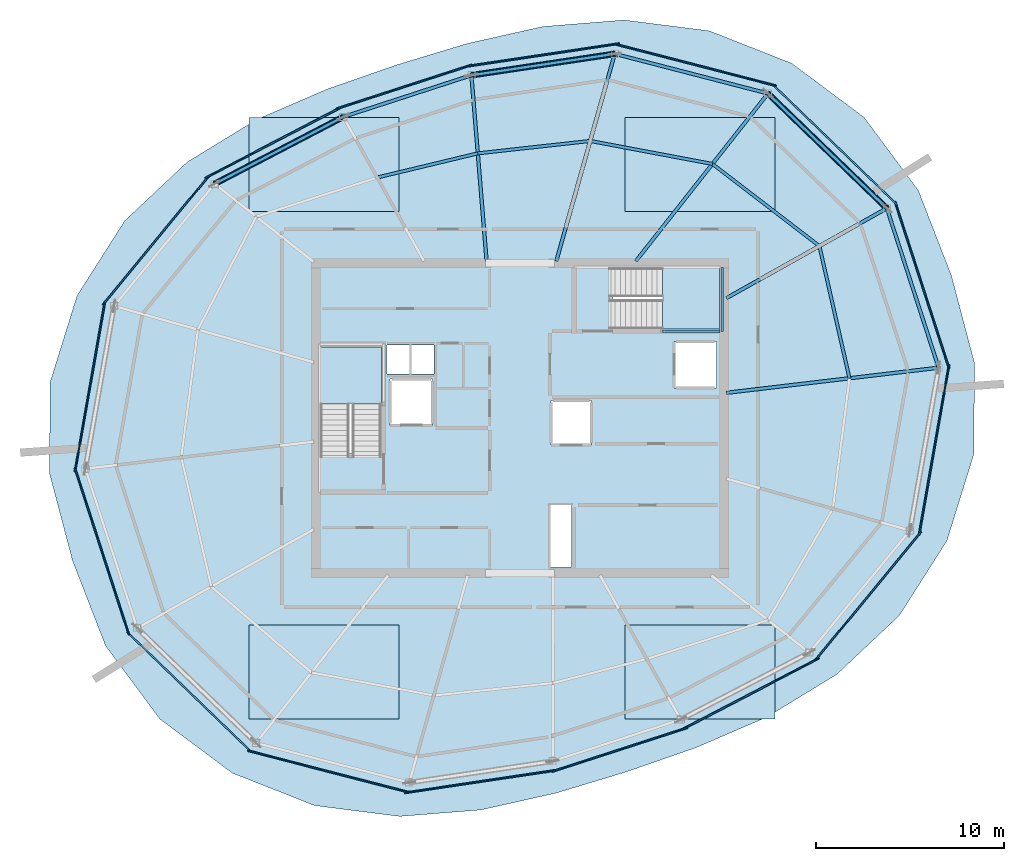
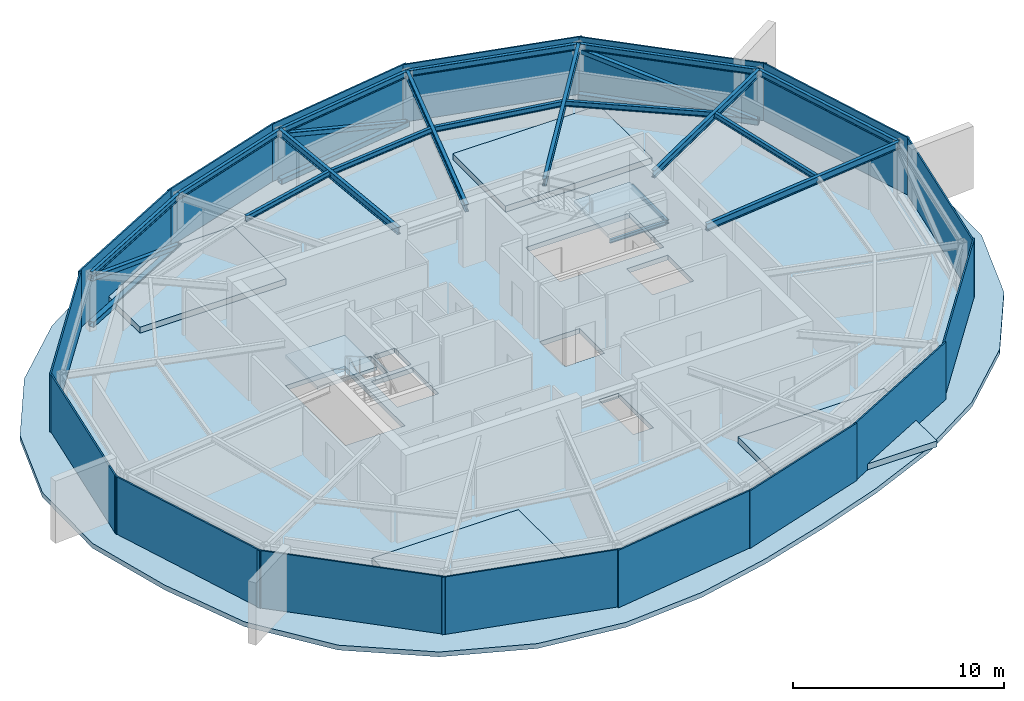
# One storey, part 5 of 10: 18 beams, 16 plates, 7 slabs, 6 members, 2 elements without a shape of their own.
"""IFC4 building model written with IfcOpenShell, lengths in metres."""

from ifc_helpers import new_model, si_unit, direction, frame, origin, origin_2d, place, context, subcontext, project, spatial, polyline, rectangle, hollow_rectangle, i_section, outline, extrude, material, layer, layer_set, material_profile, profile_set, type_object, element, aggregate, save


model = new_model("IFC4")

# Units and contexts
model_context = context("Model", 3, precision=1e-05, world=origin(), true_north=direction((0.0, 1.0)))
body_context = subcontext(model_context, "Body", "Model", "MODEL_VIEW")
ifc_project = project(units=[si_unit("LENGTHUNIT", "METRE"), si_unit("AREAUNIT", "SQUARE_METRE"), si_unit("VOLUMEUNIT", "CUBIC_METRE"), si_unit("PLANEANGLEUNIT", "RADIAN"), si_unit("MASSUNIT", "GRAM", prefix="KILO")], contexts=[model_context])

# Site, building, storey
site_placement = place(None, origin())
site = spatial("IfcSite", under=ifc_project, at=site_placement, CompositionType="ELEMENT")
building_placement = place(site_placement, origin())
building = spatial("IfcBuilding", under=site, at=building_placement, Name="Kazma Halo Residences", CompositionType="ELEMENT")
storey_placement = place(building_placement, frame((0.0, 0.0, 370.39990234375)))
storey = spatial("IfcBuildingStorey", under=building, at=storey_placement, Name="L93", CompositionType="ELEMENT", Elevation=370.39990234375)

# Beams
ifc_material_1 = material(Name="Steel S355", Category="steel")
ifc_material_profile_1 = material_profile(ifc_material_1, i_section(OverallWidth=0.177978515625, OverallDepth=0.406982421875, WebThickness=0.0078125, FlangeThickness=0.0126953125, FilletRadius=0.013916015625, at=origin_2d()), Name="W410x60")
ifc_profile_set_1 = profile_set([ifc_material_profile_1], Name="Steel S355")
beam_type_1 = type_object("IfcBeamType", Name="BM-RAD-W410", PredefinedType="BEAM", material=ifc_profile_set_1)
beam_1_placement = place(storey_placement, frame((59.39990234375, 48.38427734375, 3.11669921875), z_axis=(0.872500487018, 0.488613241894, 0.0), x_axis=(-0.488613241894, 0.872500487018, 0.0)))
element("IfcBeam", 1, at=beam_1_placement, inside=storey, type_object=beam_type_1, Name="L93 radial floor beam 01", PredefinedType="BEAM", context=body_context, shape_type="SweptSolid", body=[
    extrude(i_section(OverallWidth=0.177978515625, OverallDepth=0.406982421875, WebThickness=0.0078125, FlangeThickness=0.0126953125, FilletRadius=0.013916015625, at=origin_2d()), origin(), (0.0, 0.0, 1.0), 9.788818359375),
])
beam_2_placement = place(storey_placement, frame((54.58251953125, 50.35009765625, 3.11669921875), z_axis=(0.619100773028, 0.785311551447, 0.0), x_axis=(-0.785311551447, 0.619100773028, 0.0)))
element("IfcBeam", 2, at=beam_2_placement, inside=storey, type_object=beam_type_1, Name="L93 radial floor beam 02", PredefinedType="BEAM", context=body_context, shape_type="SweptSolid", body=[
    extrude(i_section(OverallWidth=0.177978515625, OverallDepth=0.406982421875, WebThickness=0.0078125, FlangeThickness=0.0126953125, FilletRadius=0.013916015625, at=origin_2d()), origin(), (0.0, 0.0, 1.0), 11.363037109375),
])
beam_3_placement = place(storey_placement, frame((50.35498046875, 50.35009765625, 3.11669921875), z_axis=(0.271433859027, 0.962457095238, 0.0), x_axis=(-0.962457095238, 0.271433859027, 0.0)))
element("IfcBeam", 3, at=beam_3_placement, inside=storey, type_object=beam_type_1, Name="L93 radial floor beam 03", PredefinedType="BEAM", context=body_context, shape_type="SweptSolid", body=[
    extrude(i_section(OverallWidth=0.177978515625, OverallDepth=0.406982421875, WebThickness=0.0078125, FlangeThickness=0.0126953125, FilletRadius=0.013916015625, at=origin_2d()), origin(), (0.0, 0.0, 1.0), 11.462646484375),
])
beam_4_placement = place(storey_placement, frame((46.64990234375, 50.35009765625, 3.11669921875), z_axis=(-0.081506605081, 0.996672801539, 0.0), x_axis=(-0.996672801539, -0.081506605081, 0.0)))
element("IfcBeam", 4, at=beam_4_placement, inside=storey, type_object=beam_type_1, Name="L93 radial floor beam 04", PredefinedType="BEAM", context=body_context, shape_type="SweptSolid", body=[
    extrude(i_section(OverallWidth=0.177978515625, OverallDepth=0.406982421875, WebThickness=0.0078125, FlangeThickness=0.0126953125, FilletRadius=0.013916015625, at=origin_2d()), origin(), (0.0, 0.0, 1.0), 9.926513671875),
])
beam_5_placement = place(storey_placement, frame((59.39990234375, 43.349365234375, 3.11669921875), z_axis=(0.993069497533, 0.117528605327, 0.0), x_axis=(-0.117528605327, 0.993069497533, 0.0)))
element("IfcBeam", 5, at=beam_5_placement, inside=storey, type_object=beam_type_1, Name="L93 radial floor beam 16", PredefinedType="BEAM", context=body_context, shape_type="SweptSolid", body=[
    extrude(i_section(OverallWidth=0.177978515625, OverallDepth=0.406982421875, WebThickness=0.0078125, FlangeThickness=0.0126953125, FilletRadius=0.013916015625, at=origin_2d()), origin(), (0.0, 0.0, 1.0), 11.375244140625),
])
ifc_material_profile_2 = material_profile(ifc_material_1, i_section(OverallWidth=0.1650390625, OverallDepth=0.31005859375, WebThickness=0.005859375, FlangeThickness=0.009765625, FilletRadius=0.011962890625, at=origin_2d()), Name="W310x38.7")
ifc_profile_set_2 = profile_set([ifc_material_profile_2], Name="Steel S355")
beam_type_2 = type_object("IfcBeamType", Name="BM-SEC-W310B", PredefinedType="JOIST", material=ifc_profile_set_2)
beam_6_placement = place(storey_placement, frame((64.353515625, 51.158447265625, 3.1650390625), z_axis=(-0.793314295729, 0.608812309494, 0.0), x_axis=(-0.608812309494, -0.793314295729, 0.0)))
element("IfcBeam", 6, at=beam_6_placement, inside=storey, type_object=beam_type_2, Name="L93 circumferential floor joist 01", PredefinedType="JOIST", context=body_context, shape_type="SweptSolid", body=[
    extrude(i_section(OverallWidth=0.1650390625, OverallDepth=0.31005859375, WebThickness=0.005859375, FlangeThickness=0.009765625, FilletRadius=0.011962890625, at=origin_2d()), origin(), (0.0, 0.0, 1.0), 7.17333984375),
])
beam_7_placement = place(storey_placement, frame((58.662841796875, 55.525634765625, 3.1650390625), z_axis=(-0.982768028721, 0.184843181435, 0.0), x_axis=(-0.184843181435, -0.982768028721, 0.0)))
element("IfcBeam", 7, at=beam_7_placement, inside=storey, type_object=beam_type_2, Name="L93 circumferential floor joist 02", PredefinedType="JOIST", context=body_context, shape_type="SweptSolid", body=[
    extrude(i_section(OverallWidth=0.1650390625, OverallDepth=0.31005859375, WebThickness=0.005859375, FlangeThickness=0.009765625, FilletRadius=0.011962890625, at=origin_2d()), origin(), (0.0, 0.0, 1.0), 6.6171875),
])
beam_8_placement = place(storey_placement, frame((52.15966796875, 56.748779296875, 3.1650390625), z_axis=(-0.993955293014, -0.109785588714, 0.0), x_axis=(0.109785588714, -0.993955293014, 0.0)))
element("IfcBeam", 8, at=beam_8_placement, inside=storey, type_object=beam_type_2, Name="L93 circumferential floor joist 03", PredefinedType="JOIST", context=body_context, shape_type="SweptSolid", body=[
    extrude(i_section(OverallWidth=0.1650390625, OverallDepth=0.31005859375, WebThickness=0.005859375, FlangeThickness=0.009765625, FilletRadius=0.011962890625, at=origin_2d()), origin(), (0.0, 0.0, 1.0), 6.015380859375),
])
beam_9_placement = place(storey_placement, frame((46.1806640625, 56.08837890625, 3.1650390625), z_axis=(-0.972370386067, -0.233443424194, 0.0), x_axis=(0.233443424194, -0.972370386067, 0.0)))
element("IfcBeam", 9, at=beam_9_placement, inside=storey, type_object=beam_type_2, Name="L93 circumferential floor joist 04", PredefinedType="JOIST", context=body_context, shape_type="SweptSolid", body=[
    extrude(i_section(OverallWidth=0.1650390625, OverallDepth=0.31005859375, WebThickness=0.005859375, FlangeThickness=0.009765625, FilletRadius=0.011962890625, at=origin_2d()), origin(), (0.0, 0.0, 1.0), 5.503173828125),
])
beam_10_placement = place(storey_placement, frame((65.951904296875, 44.124755859375, 3.1650390625), z_axis=(-0.221597696416, 0.975138175308, 0.0), x_axis=(-0.975138175308, -0.221597696416, 0.0)))
element("IfcBeam", 10, at=beam_10_placement, inside=storey, type_object=beam_type_2, Name="L93 circumferential floor joist 16", PredefinedType="JOIST", context=body_context, shape_type="SweptSolid", body=[
    extrude(i_section(OverallWidth=0.1650390625, OverallDepth=0.31005859375, WebThickness=0.005859375, FlangeThickness=0.009765625, FilletRadius=0.011962890625, at=origin_2d()), origin(), (0.0, 0.0, 1.0), 7.213134765625),
])
ifc_material_profile_3 = material_profile(ifc_material_1, i_section(OverallWidth=0.1708984375, OverallDepth=0.35498046875, WebThickness=0.007080078125, FlangeThickness=0.01171875, FilletRadius=0.013916015625, at=origin_2d()), Name="W360x51")
ifc_profile_set_3 = profile_set([ifc_material_profile_3], Name="Steel S355")
beam_type_3 = type_object("IfcBeamType", Name="BM-SPN-W360", PredefinedType="BEAM", material=ifc_profile_set_3)
beam_11_placement = place(storey_placement, frame((67.940673828125, 53.167236328125, 3.142578125), z_axis=(-0.719330630477, 0.694667866003, 0.0), x_axis=(-0.694667866003, -0.719330630477, 0.0)))
element("IfcBeam", 11, at=beam_11_placement, inside=storey, type_object=beam_type_3, Name="L93 CROWN FRAME ring beam 01", PredefinedType="BEAM", context=body_context, shape_type="SweptSolid", body=[
    extrude(i_section(OverallWidth=0.1708984375, OverallDepth=0.35498046875, WebThickness=0.007080078125, FlangeThickness=0.01171875, FilletRadius=0.013916015625, at=origin_2d()), origin(), (0.0, 0.0, 1.0), 8.79052734375),
])
beam_12_placement = place(storey_placement, frame((61.617431640625, 59.273681640625, 3.142578125), z_axis=(-0.968129821283, 0.250448895271, 0.0), x_axis=(-0.250448895271, -0.968129821283, 0.0)))
element("IfcBeam", 12, at=beam_12_placement, inside=storey, type_object=beam_type_3, Name="L93 CROWN FRAME ring beam 02", PredefinedType="BEAM", context=body_context, shape_type="SweptSolid", body=[
    extrude(i_section(OverallWidth=0.1708984375, OverallDepth=0.35498046875, WebThickness=0.007080078125, FlangeThickness=0.01171875, FilletRadius=0.013916015625, at=origin_2d()), origin(), (0.0, 0.0, 1.0), 8.41943359375),
])
beam_13_placement = place(storey_placement, frame((53.46630859375, 61.38232421875, 3.142578125), z_axis=(-0.989034152337, -0.147686984904, 0.0), x_axis=(0.147686984904, -0.989034152337, 0.0)))
element("IfcBeam", 13, at=beam_13_placement, inside=storey, type_object=beam_type_3, Name="L93 CROWN FRAME ring beam 03", PredefinedType="BEAM", context=body_context, shape_type="SweptSolid", body=[
    extrude(i_section(OverallWidth=0.1708984375, OverallDepth=0.35498046875, WebThickness=0.007080078125, FlangeThickness=0.01171875, FilletRadius=0.013916015625, at=origin_2d()), origin(), (0.0, 0.0, 1.0), 7.7099609375),
])
beam_14_placement = place(storey_placement, frame((45.8408203125, 60.24365234375, 3.142578125), z_axis=(-0.951067102, -0.308984413026, 0.0), x_axis=(0.308984413026, -0.951067102, 0.0)))
element("IfcBeam", 14, at=beam_14_placement, inside=storey, type_object=beam_type_3, Name="L93 CROWN FRAME ring beam 04", PredefinedType="BEAM", context=body_context, shape_type="SweptSolid", body=[
    extrude(i_section(OverallWidth=0.1708984375, OverallDepth=0.35498046875, WebThickness=0.007080078125, FlangeThickness=0.01171875, FilletRadius=0.013916015625, at=origin_2d()), origin(), (0.0, 0.0, 1.0), 7.168212890625),
])
beam_15_placement = place(storey_placement, frame((39.0234375, 58.02880859375, 3.142578125), z_axis=(-0.886940838721, -0.461883046461, 0.0), x_axis=(0.461883046461, -0.886940838721, 0.0)))
element("IfcBeam", 15, at=beam_15_placement, inside=storey, type_object=beam_type_3, Name="L93 CROWN FRAME ring beam 05", PredefinedType="BEAM", context=body_context, shape_type="SweptSolid", body=[
    extrude(i_section(OverallWidth=0.1708984375, OverallDepth=0.35498046875, WebThickness=0.007080078125, FlangeThickness=0.01171875, FilletRadius=0.013916015625, at=origin_2d()), origin(), (0.0, 0.0, 1.0), 7.71044921875),
])
beam_16_placement = place(storey_placement, frame((70.6962890625, 44.686279296875, 3.142578125), z_axis=(-0.309015498459, 0.951057002346, 0.0), x_axis=(-0.951057002346, -0.309015498459, 0.0)))
element("IfcBeam", 16, at=beam_16_placement, inside=storey, type_object=beam_type_3, Name="L93 CROWN FRAME ring beam 16", PredefinedType="BEAM", context=body_context, shape_type="SweptSolid", body=[
    extrude(i_section(OverallWidth=0.1708984375, OverallDepth=0.35498046875, WebThickness=0.007080078125, FlangeThickness=0.01171875, FilletRadius=0.013916015625, at=origin_2d()), origin(), (0.0, 0.0, 1.0), 8.91748046875),
])
ifc_material_profile_4 = material_profile(ifc_material_1, i_section(OverallWidth=0.133056640625, OverallDepth=0.20703125, WebThickness=0.005859375, FlangeThickness=0.00830078125, FilletRadius=0.010009765625, at=origin_2d()), Name="W200x26.6")
ifc_profile_set_4 = profile_set([ifc_material_profile_4], Name="Steel S355")
beam_type_4 = type_object("IfcBeamType", Name="BM-TRIM-W200", PredefinedType="BEAM", material=ifc_profile_set_4)
beam_17_placement = place(storey_placement, frame((56.0, 46.6201171875, 1.4951171875), z_axis=(1.0, 0.0, 0.0), x_axis=(0.0, 1.0, 0.0)))
element("IfcBeam", 17, at=beam_17_placement, inside=storey, type_object=beam_type_4, Name="L93 ST-02 landing south wall ledger", PredefinedType="BEAM", context=body_context, shape_type="SweptSolid", body=[
    extrude(i_section(OverallWidth=0.133056640625, OverallDepth=0.20703125, WebThickness=0.005859375, FlangeThickness=0.00830078125, FilletRadius=0.010009765625, at=origin_2d()), origin(), (0.0, 0.0, 1.0), 3.070068359375),
])
beam_18_placement = place(storey_placement, frame((59.18994140625, 46.6201171875, 1.4951171875), z_axis=(0.0, 1.0, 0.0), x_axis=(-1.0, 0.0, 0.0)))
element("IfcBeam", 18, at=beam_18_placement, inside=storey, type_object=beam_type_4, Name="L93 ST-02 landing end wall ledger", PredefinedType="BEAM", context=body_context, shape_type="SweptSolid", body=[
    extrude(i_section(OverallWidth=0.133056640625, OverallDepth=0.20703125, WebThickness=0.005859375, FlangeThickness=0.00830078125, FilletRadius=0.010009765625, at=origin_2d()), origin(), (0.0, 0.0, 1.0), 3.39990234375),
])

# Members
ifc_material_profile_5 = material_profile(ifc_material_1, hollow_rectangle(XDim=0.25, YDim=0.25, WallThickness=0.010009765625, InnerFilletRadius=0.010009765625, OuterFilletRadius=0.02001953125, at=origin_2d()), Name="SHS250x250x10")
ifc_profile_set_5 = profile_set([ifc_material_profile_5], Name="Steel S355")
member_type_1 = type_object("IfcMemberType", Name="MBR-CRWN-SHS250", PredefinedType="BRACE", material=ifc_profile_set_5)
member_1_placement = place(storey_placement, frame((67.940673828125, 53.167236328125, 0.280029296875), z_axis=(-0.688495555303, 0.664889993407, 0.289646624347), x_axis=(-0.694667866003, -0.719330630477, 0.0)))
element("IfcMember", 19, at=member_1_placement, inside=storey, type_object=member_type_1, Name="L93 CROWN FRAME diagonal brace 01", PredefinedType="BRACE", context=body_context, shape_type="SweptSolid", body=[
    extrude(hollow_rectangle(XDim=0.25, YDim=0.25, WallThickness=0.010009765625, InnerFilletRadius=0.010009765625, OuterFilletRadius=0.02001953125, at=origin_2d()), origin(), (0.0, 0.0, 1.0), 9.18408203125),
])
member_2_placement = place(storey_placement, frame((53.46630859375, 61.38232421875, 0.280029296875), z_axis=(-0.934949220424, -0.13961078197, 0.326157607279), x_axis=(0.147686984904, -0.989034152337, 0.0)))
element("IfcMember", 20, at=member_2_placement, inside=storey, type_object=member_type_1, Name="L93 CROWN FRAME diagonal brace 03", PredefinedType="BRACE", context=body_context, shape_type="SweptSolid", body=[
    extrude(hollow_rectangle(XDim=0.25, YDim=0.25, WallThickness=0.010009765625, InnerFilletRadius=0.010009765625, OuterFilletRadius=0.02001953125, at=origin_2d()), origin(), (0.0, 0.0, 1.0), 8.156005859375),
])
member_3_placement = place(storey_placement, frame((39.0234375, 58.02880859375, 0.280029296875), z_axis=(-0.838442461731, -0.436627046135, 0.326145766414), x_axis=(0.461883046461, -0.886940838721, 0.0)))
element("IfcMember", 21, at=member_3_placement, inside=storey, type_object=member_type_1, Name="L93 CROWN FRAME diagonal brace 05", PredefinedType="BRACE", context=body_context, shape_type="SweptSolid", body=[
    extrude(hollow_rectangle(XDim=0.25, YDim=0.25, WallThickness=0.010009765625, InnerFilletRadius=0.010009765625, OuterFilletRadius=0.02001953125, at=origin_2d()), origin(), (0.0, 0.0, 1.0), 8.15625),
])
ifc_material_profile_6 = material_profile(ifc_material_1, hollow_rectangle(XDim=0.300048828125, YDim=0.300048828125, WallThickness=0.012451171875, InnerFilletRadius=0.012451171875, OuterFilletRadius=0.02490234375, at=origin_2d()), Name="SHS300x300x12.5")
ifc_profile_set_6 = profile_set([ifc_material_profile_6], Name="Steel S355")
member_type_2 = type_object("IfcMemberType", Name="MBR-CRWN-SHS300", PredefinedType="CHORD", material=ifc_profile_set_6)
member_4_placement = place(storey_placement, frame((67.940673828125, 53.167236328125, 0.280029296875), z_axis=(-0.719330630477, 0.694667866003, 0.0), x_axis=(-0.694667866003, -0.719330630477, 0.0)))
element("IfcMember", 22, at=member_4_placement, inside=storey, type_object=member_type_2, Name="L93 CROWN FRAME horizontal ring chord 01", PredefinedType="CHORD", context=body_context, shape_type="SweptSolid", body=[
    extrude(hollow_rectangle(XDim=0.300048828125, YDim=0.300048828125, WallThickness=0.012451171875, InnerFilletRadius=0.012451171875, OuterFilletRadius=0.02490234375, at=origin_2d()), origin(), (0.0, 0.0, 1.0), 8.79052734375),
])
member_5_placement = place(storey_placement, frame((53.46630859375, 61.38232421875, 0.280029296875), z_axis=(-0.989034152337, -0.147686984904, 0.0), x_axis=(0.147686984904, -0.989034152337, 0.0)))
element("IfcMember", 23, at=member_5_placement, inside=storey, type_object=member_type_2, Name="L93 CROWN FRAME horizontal ring chord 03", PredefinedType="CHORD", context=body_context, shape_type="SweptSolid", body=[
    extrude(hollow_rectangle(XDim=0.300048828125, YDim=0.300048828125, WallThickness=0.012451171875, InnerFilletRadius=0.012451171875, OuterFilletRadius=0.02490234375, at=origin_2d()), origin(), (0.0, 0.0, 1.0), 7.7099609375),
])
member_6_placement = place(storey_placement, frame((39.0234375, 58.02880859375, 0.280029296875), z_axis=(-0.886940838721, -0.461883046461, 0.0), x_axis=(0.461883046461, -0.886940838721, 0.0)))
element("IfcMember", 24, at=member_6_placement, inside=storey, type_object=member_type_2, Name="L93 CROWN FRAME horizontal ring chord 05", PredefinedType="CHORD", context=body_context, shape_type="SweptSolid", body=[
    extrude(hollow_rectangle(XDim=0.300048828125, YDim=0.300048828125, WallThickness=0.012451171875, InnerFilletRadius=0.012451171875, OuterFilletRadius=0.02490234375, at=origin_2d()), origin(), (0.0, 0.0, 1.0), 7.71044921875),
])

# Plates
ifc_material_2 = material(Name="Aluminium AW-6063 T6 Perforated Acoustic Louvre Screen", Category="aluminium")
ifc_layer_1 = layer(ifc_material_2, 0.080078125)
ifc_layer_set_1 = layer_set([ifc_layer_1], Name="Aluminium AW-6063 T6 Perforated Acoustic Louvre Screen")
plate_type = type_object("IfcPlateType", Name="PLT-CROWN-LOUVRE", PredefinedType="SHEET", material=ifc_layer_set_1)
plate_1_placement = place(storey_placement, frame((65.17578125, 56.556640625, 0.0), z_axis=(0.0, 0.0, 1.0), x_axis=(-0.719342064482, 0.694656025863, 0.0)))
element("IfcPlate", 25, at=plate_1_placement, inside=storey, type_object=plate_type, Name="L93 pale-metal acoustic louvre screen 01", PredefinedType="SHEET", context=body_context, shape_type="SweptSolid", body=[
    extrude(rectangle(XDim=9.1904296875, YDim=0.080078125, at=origin_2d()), origin(), (0.0, 0.0, 1.0), 3.320068359375),
])
plate_2_placement = place(storey_placement, frame((57.781982421875, 60.789306640625, 0.0), z_axis=(0.0, 0.0, 1.0), x_axis=(-0.968124370805, 0.250469963576, 0.0)))
element("IfcPlate", 26, at=plate_2_placement, inside=storey, type_object=plate_type, Name="L93 pale-metal acoustic louvre screen 02", PredefinedType="SHEET", context=body_context, shape_type="SweptSolid", body=[
    extrude(rectangle(XDim=8.8193359375, YDim=0.080078125, at=origin_2d()), origin(), (0.0, 0.0, 1.0), 3.320068359375),
])
plate_3_placement = place(storey_placement, frame((49.69921875, 61.3310546875, 0.0), z_axis=(0.0, 0.0, 1.0), x_axis=(-0.98903421845, -0.147686542161, 0.0)))
element("IfcPlate", 27, at=plate_3_placement, inside=storey, type_object=plate_type, Name="L93 pale-metal acoustic louvre screen 03", PredefinedType="SHEET", context=body_context, shape_type="SweptSolid", body=[
    extrude(rectangle(XDim=8.110107421875, YDim=0.080078125, at=origin_2d()), origin(), (0.0, 0.0, 1.0), 3.320068359375),
])
plate_4_placement = place(storey_placement, frame((42.271484375, 59.630615234375, 0.0), z_axis=(0.0, 0.0, 1.0), x_axis=(-0.951058260985, -0.309011624721, 0.0)))
element("IfcPlate", 28, at=plate_4_placement, inside=storey, type_object=plate_type, Name="L93 pale-metal acoustic louvre screen 04", PredefinedType="SHEET", context=body_context, shape_type="SweptSolid", body=[
    extrude(rectangle(XDim=7.568115234375, YDim=0.080078125, at=origin_2d()), origin(), (0.0, 0.0, 1.0), 3.320068359375),
])
plate_5_placement = place(storey_placement, frame((35.262939453125, 56.640380859375, 0.0), z_axis=(0.0, 0.0, 1.0), x_axis=(-0.886949727325, -0.461865977529, 0.0)))
element("IfcPlate", 29, at=plate_5_placement, inside=storey, type_object=plate_type, Name="L93 pale-metal acoustic louvre screen 05", PredefinedType="SHEET", context=body_context, shape_type="SweptSolid", body=[
    extrude(rectangle(XDim=8.110107421875, YDim=0.080078125, at=origin_2d()), origin(), (0.0, 0.0, 1.0), 3.320068359375),
])
plate_6_placement = place(storey_placement, frame((29.0419921875, 51.451171875, 0.0), z_axis=(0.0, 0.0, 1.0), x_axis=(-0.636007787073, -0.771682638643, 0.0)))
element("IfcPlate", 30, at=plate_6_placement, inside=storey, type_object=plate_type, Name="L93 pale-metal acoustic louvre screen 06", PredefinedType="SHEET", context=body_context, shape_type="SweptSolid", body=[
    extrude(rectangle(XDim=8.8193359375, YDim=0.080078125, at=origin_2d()), origin(), (0.0, 0.0, 1.0), 3.320068359375),
])
plate_7_placement = place(storey_placement, frame((25.54833984375, 43.680908203125, 0.0), z_axis=(0.0, 0.0, 1.0), x_axis=(-0.173656186938, -0.984806340728, 0.0)))
element("IfcPlate", 31, at=plate_7_placement, inside=storey, type_object=plate_type, Name="L93 pale-metal acoustic louvre screen 07", PredefinedType="SHEET", context=body_context, shape_type="SweptSolid", body=[
    extrude(rectangle(XDim=9.1904296875, YDim=0.080078125, at=origin_2d()), origin(), (0.0, 0.0, 1.0), 3.320068359375),
])
plate_8_placement = place(storey_placement, frame((26.18701171875, 34.91259765625, 0.0), z_axis=(0.0, 0.0, 1.0), x_axis=(0.309022680214, -0.951054668835, 0.0)))
element("IfcPlate", 32, at=plate_8_placement, inside=storey, type_object=plate_type, Name="L93 pale-metal acoustic louvre screen 08", PredefinedType="SHEET", context=body_context, shape_type="SweptSolid", body=[
    extrude(rectangle(XDim=9.3173828125, YDim=0.080078125, at=origin_2d()), origin(), (0.0, 0.0, 1.0), 3.320068359375),
])
plate_9_placement = place(storey_placement, frame((30.82421875, 27.443359375, 0.0), z_axis=(0.0, 0.0, 1.0), x_axis=(0.719342064482, -0.694656025863, 0.0)))
element("IfcPlate", 33, at=plate_9_placement, inside=storey, type_object=plate_type, Name="L93 pale-metal acoustic louvre screen 09", PredefinedType="SHEET", context=body_context, shape_type="SweptSolid", body=[
    extrude(rectangle(XDim=9.1904296875, YDim=0.080078125, at=origin_2d()), origin(), (0.0, 0.0, 1.0), 3.320068359375),
])
plate_10_placement = place(storey_placement, frame((38.218017578125, 23.210693359375, 0.0), z_axis=(0.0, 0.0, 1.0), x_axis=(0.968124370805, -0.250469963576, 0.0)))
element("IfcPlate", 34, at=plate_10_placement, inside=storey, type_object=plate_type, Name="L93 pale-metal acoustic louvre screen 10", PredefinedType="SHEET", context=body_context, shape_type="SweptSolid", body=[
    extrude(rectangle(XDim=8.8193359375, YDim=0.080078125, at=origin_2d()), origin(), (0.0, 0.0, 1.0), 3.320068359375),
])
plate_11_placement = place(storey_placement, frame((46.30078125, 22.6689453125, 0.0), z_axis=(0.0, 0.0, 1.0), x_axis=(0.98903421845, 0.147686542161, 0.0)))
element("IfcPlate", 35, at=plate_11_placement, inside=storey, type_object=plate_type, Name="L93 pale-metal acoustic louvre screen 11", PredefinedType="SHEET", context=body_context, shape_type="SweptSolid", body=[
    extrude(rectangle(XDim=8.110107421875, YDim=0.080078125, at=origin_2d()), origin(), (0.0, 0.0, 1.0), 3.320068359375),
])
plate_12_placement = place(storey_placement, frame((53.728515625, 24.369384765625, 0.0), z_axis=(0.0, 0.0, 1.0), x_axis=(0.951058260985, 0.309011624721, 0.0)))
element("IfcPlate", 36, at=plate_12_placement, inside=storey, type_object=plate_type, Name="L93 pale-metal acoustic louvre screen 12", PredefinedType="SHEET", context=body_context, shape_type="SweptSolid", body=[
    extrude(rectangle(XDim=7.568115234375, YDim=0.080078125, at=origin_2d()), origin(), (0.0, 0.0, 1.0), 3.320068359375),
])
plate_13_placement = place(storey_placement, frame((60.737060546875, 27.359619140625, 0.0), z_axis=(0.0, 0.0, 1.0), x_axis=(0.886949727325, 0.461865977529, 0.0)))
element("IfcPlate", 37, at=plate_13_placement, inside=storey, type_object=plate_type, Name="L93 pale-metal acoustic louvre screen 13", PredefinedType="SHEET", context=body_context, shape_type="SweptSolid", body=[
    extrude(rectangle(XDim=8.110107421875, YDim=0.080078125, at=origin_2d()), origin(), (0.0, 0.0, 1.0), 3.320068359375),
])
plate_14_placement = place(storey_placement, frame((66.9580078125, 32.548828125, 0.0), z_axis=(0.0, 0.0, 1.0), x_axis=(0.636007787073, 0.771682638643, 0.0)))
element("IfcPlate", 38, at=plate_14_placement, inside=storey, type_object=plate_type, Name="L93 pale-metal acoustic louvre screen 14", PredefinedType="SHEET", context=body_context, shape_type="SweptSolid", body=[
    extrude(rectangle(XDim=8.8193359375, YDim=0.080078125, at=origin_2d()), origin(), (0.0, 0.0, 1.0), 3.320068359375),
])
plate_15_placement = place(storey_placement, frame((70.45166015625, 40.319091796875, 0.0), z_axis=(0.0, 0.0, 1.0), x_axis=(0.173656186938, 0.984806340728, 0.0)))
element("IfcPlate", 39, at=plate_15_placement, inside=storey, type_object=plate_type, Name="L93 pale-metal acoustic louvre screen 15", PredefinedType="SHEET", context=body_context, shape_type="SweptSolid", body=[
    extrude(rectangle(XDim=9.1904296875, YDim=0.080078125, at=origin_2d()), origin(), (0.0, 0.0, 1.0), 3.320068359375),
])
plate_16_placement = place(storey_placement, frame((69.81298828125, 49.08740234375, 0.0), z_axis=(0.0, 0.0, 1.0), x_axis=(-0.309022680214, 0.951054668835, 0.0)))
element("IfcPlate", 40, at=plate_16_placement, inside=storey, type_object=plate_type, Name="L93 pale-metal acoustic louvre screen 16", PredefinedType="SHEET", context=body_context, shape_type="SweptSolid", body=[
    extrude(rectangle(XDim=9.3173828125, YDim=0.080078125, at=origin_2d()), origin(), (0.0, 0.0, 1.0), 3.320068359375),
])

# Slabs
ifc_material_3 = material(Name="Concrete C50/60", Category="concrete")
ifc_layer_2 = layer(ifc_material_3, 0.280029296875)
ifc_layer_set_2 = layer_set([ifc_layer_2], Name="Concrete C50/60")
slab_type_1 = type_object("IfcSlabType", Name="SLB-MEP-280", PredefinedType="FLOOR", material=ifc_layer_set_2)
slab_1_placement = place(storey_placement, frame((0.0, 0.0, -0.27978515625)))
element("IfcSlab", 41, at=slab_1_placement, inside=storey, type_object=slab_type_1, Name="L93 structural floor slab", PredefinedType="FLOOR", context=body_context, shape_type="SweptSolid", body=[
    extrude(outline(polyline([(71.375, 49.594970703125), (69.62158203125, 54.108642578125), (66.736572265625, 58.00244140625), (62.88232421875, 60.878173828125), (58.49951171875, 62.606201171875), (53.97412109375, 63.18310546875), (49.639892578125, 62.836181640625), (45.64013671875, 61.9384765625), (41.889892578125, 60.80517578125), (38.189697265625, 59.517578125), (34.426025390625, 57.89306640625), (30.7158203125, 55.625732421875), (27.393798828125, 52.49951171875), (24.863525390625, 48.525146484375), (23.435791015625, 43.93310546875), (23.390380859375, 39.08740234375), (24.625, 34.405029296875), (26.37841796875, 29.891357421875), (29.263427734375, 25.99755859375), (33.11767578125, 23.121826171875), (37.50048828125, 21.393798828125), (42.02587890625, 20.81689453125), (46.360107421875, 21.163818359375), (50.35986328125, 22.0615234375), (54.110107421875, 23.19482421875), (57.810302734375, 24.482421875), (61.573974609375, 26.10693359375), (65.2841796875, 28.374267578125), (68.606201171875, 31.50048828125), (71.136474609375, 35.474853515625), (72.564208984375, 40.06689453125), (72.609619140625, 44.91259765625), (71.375, 49.594970703125)]), holes=[polyline([(37.800048828125, 40.110107421875), (41.050048828125, 40.110107421875), (41.050048828125, 45.800048828125), (37.800048828125, 45.800048828125), (37.800048828125, 40.110107421875)]), polyline([(53.360107421875, 46.75), (59.050048828125, 46.75), (59.050048828125, 50.0), (53.360107421875, 50.0), (53.360107421875, 46.75)]), polyline([(41.52001953125, 41.6201171875), (43.780029296875, 41.6201171875), (43.780029296875, 44.080078125), (41.52001953125, 44.080078125), (41.52001953125, 41.6201171875)]), polyline([(56.6201171875, 43.6201171875), (58.8798828125, 43.6201171875), (58.8798828125, 46.080078125), (56.6201171875, 46.080078125), (56.6201171875, 43.6201171875)]), polyline([(50.070068359375, 40.570068359375), (52.22998046875, 40.570068359375), (52.22998046875, 42.929931640625), (50.070068359375, 42.929931640625), (50.070068359375, 40.570068359375)]), polyline([(41.360107421875, 44.340087890625), (42.5400390625, 44.340087890625), (42.5400390625, 45.89990234375), (41.360107421875, 45.89990234375), (41.360107421875, 44.340087890625)]), polyline([(42.659912109375, 44.340087890625), (43.840087890625, 44.340087890625), (43.840087890625, 45.89990234375), (42.659912109375, 45.89990234375), (42.659912109375, 44.340087890625)]), polyline([(50.06005859375, 34.080078125), (51.159912109375, 34.080078125), (51.159912109375, 37.3798828125), (50.06005859375, 37.3798828125), (50.06005859375, 34.080078125)])]), origin(), (0.0, 0.0, 1.0), 0.27978515625),
])
ifc_layer_3 = layer(ifc_material_3, 0.35009765625)
ifc_layer_set_3 = layer_set([ifc_layer_3], Name="Concrete C50/60")
slab_type_2 = type_object("IfcSlabType", Name="SLB-PLINTH-350", PredefinedType="FLOOR", material=ifc_layer_set_3)
slab_2_placement = place(storey_placement, origin())
element("IfcSlab", 42, at=slab_2_placement, inside=storey, type_object=slab_type_2, Name="L93 mechanical chiller and cooling-tower plinth 1", PredefinedType="FLOOR", context=body_context, shape_type="SweptSolid", body=[
    extrude(outline(polyline([(34.0, 26.0), (42.0, 26.0), (42.0, 31.0), (34.0, 31.0), (34.0, 26.0)])), origin(), (0.0, 0.0, 1.0), 0.35009765625),
])
slab_3_placement = place(storey_placement, origin())
element("IfcSlab", 43, at=slab_3_placement, inside=storey, type_object=slab_type_2, Name="L93 mechanical chiller and cooling-tower plinth 2", PredefinedType="FLOOR", context=body_context, shape_type="SweptSolid", body=[
    extrude(outline(polyline([(54.0, 26.0), (62.0, 26.0), (62.0, 31.0), (54.0, 31.0), (54.0, 26.0)])), origin(), (0.0, 0.0, 1.0), 0.35009765625),
])
slab_4_placement = place(storey_placement, origin())
element("IfcSlab", 44, at=slab_4_placement, inside=storey, type_object=slab_type_2, Name="L93 mechanical chiller and cooling-tower plinth 3", PredefinedType="FLOOR", context=body_context, shape_type="SweptSolid", body=[
    extrude(outline(polyline([(34.0, 53.0), (42.0, 53.0), (42.0, 58.0), (34.0, 58.0), (34.0, 53.0)])), origin(), (0.0, 0.0, 1.0), 0.35009765625),
])
slab_5_placement = place(storey_placement, origin())
element("IfcSlab", 45, at=slab_5_placement, inside=storey, type_object=slab_type_2, Name="L93 mechanical chiller and cooling-tower plinth 4", PredefinedType="FLOOR", context=body_context, shape_type="SweptSolid", body=[
    extrude(outline(polyline([(54.0, 53.0), (62.0, 53.0), (62.0, 58.0), (54.0, 58.0), (54.0, 53.0)])), origin(), (0.0, 0.0, 1.0), 0.35009765625),
])

# Stair, slab
stair_type = type_object("IfcStairType", Name="STR-CRWN", PredefinedType="HALF_TURN_STAIR", material=ifc_material_3)
stair_1_placement = place(storey_placement, origin())
stair_1 = element("IfcStair", 46, at=stair_1_placement, inside=storey, type_object=stair_type, Name="L93 Core exit stair ST-01", PredefinedType="HALF_TURN_STAIR")
ifc_layer_4 = layer(ifc_material_3, 0.199951171875)
ifc_layer_set_4 = layer_set([ifc_layer_4], Name="Concrete C50/60")
slab_type_3 = type_object("IfcSlabType", Name="SLB-STAIR-LND-200", PredefinedType="LANDING", material=ifc_layer_set_4)
slab_6_placement = place(storey_placement, frame((0.0, 0.0, 1.60009765625)))
slab_6 = element("IfcSlab", 47, at=slab_6_placement, type_object=slab_type_3, Name="ST-01 landing 1", PredefinedType="LANDING", context=body_context, shape_type="SweptSolid", body=[
    extrude(outline(polyline([(41.050048828125, 42.75), (41.050048828125, 45.800048828125), (37.800048828125, 45.800048828125), (37.800048828125, 42.75), (41.050048828125, 42.75)])), origin(), (0.0, 0.0, 1.0), 0.199951171875),
])
aggregate(stair_1, [slab_6])

stair_2_placement = place(storey_placement, origin())
stair_2 = element("IfcStair", 48, at=stair_2_placement, inside=storey, type_object=stair_type, Name="L93 Core exit stair ST-02", PredefinedType="HALF_TURN_STAIR")
slab_7_placement = place(storey_placement, frame((0.0, 0.0, 1.60009765625)))
slab_7 = element("IfcSlab", 49, at=slab_7_placement, type_object=slab_type_3, Name="ST-02 landing 1", PredefinedType="LANDING", context=body_context, shape_type="SweptSolid", body=[
    extrude(outline(polyline([(56.0, 46.75), (59.050048828125, 46.75), (59.050048828125, 50.0), (56.0, 50.0), (56.0, 46.75)])), origin(), (0.0, 0.0, 1.0), 0.199951171875),
])
aggregate(stair_2, [slab_7])

save(model, "model.ifc")
